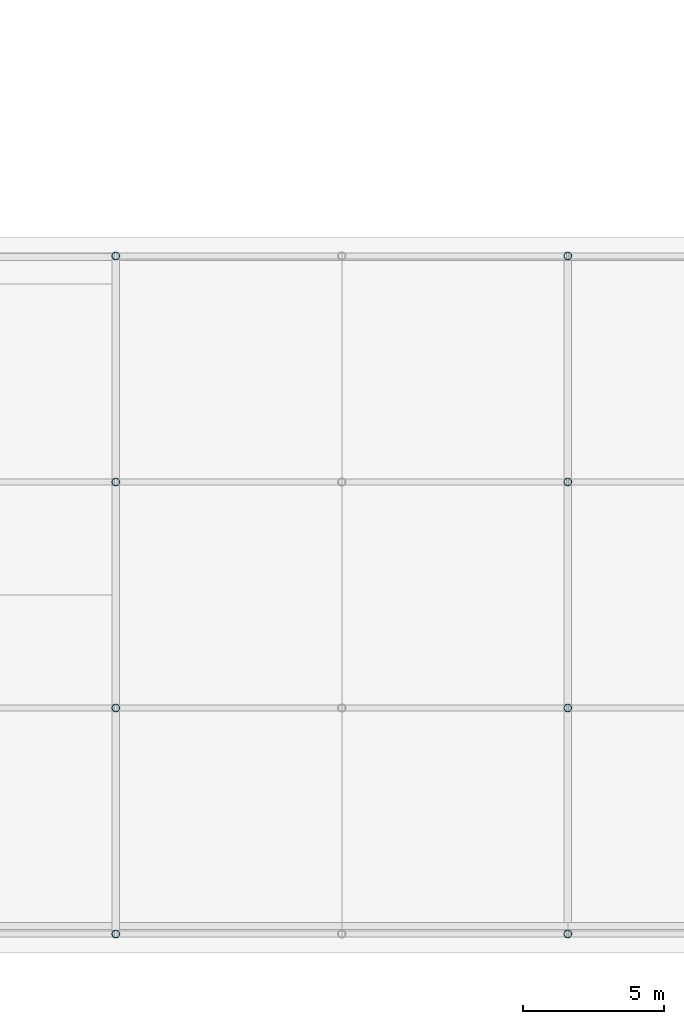
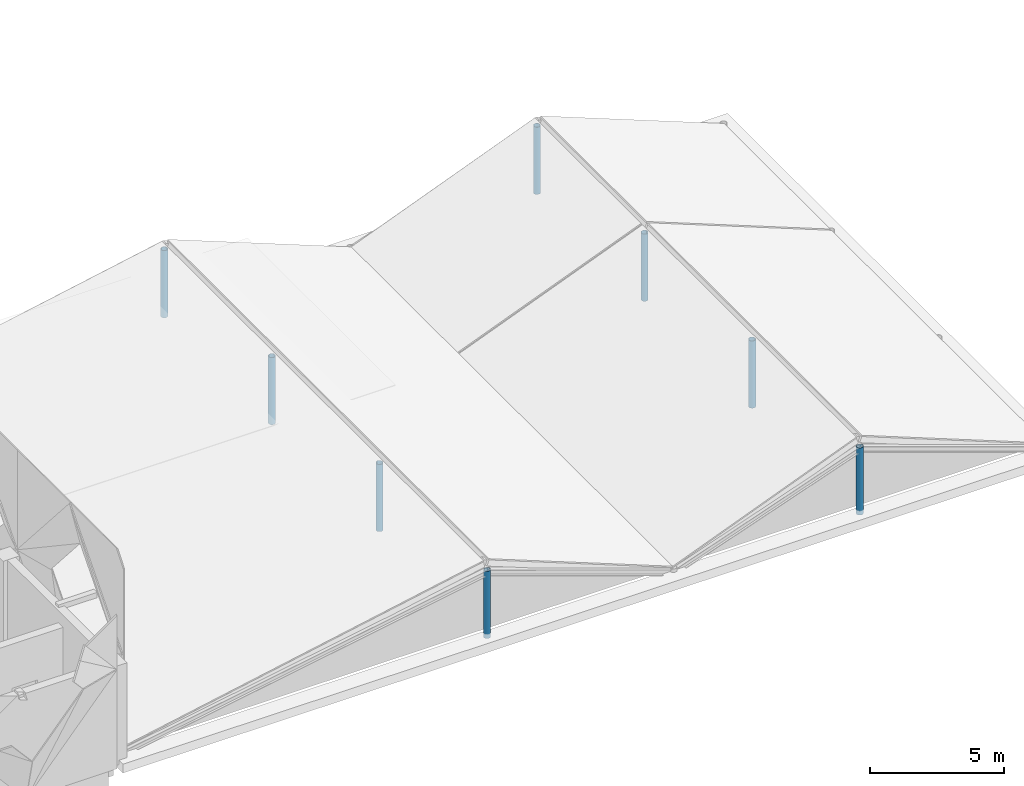
# One storey, part 3 of 37: 8 columns.
"""IFC4 building model written with IfcOpenShell, lengths in metres."""

from ifc_helpers import new_model, si_unit, direction, frame, origin, origin_2d, place, context, subcontext, project, spatial, hollow_circle, extrude, material, material_profile, profile_set, type_object, element, save


model = new_model("IFC4")

# Units and contexts
model_context = context("Model", 3, precision=1e-05, world=origin(), true_north=direction((0.0, 1.0)))
body_context = subcontext(model_context, "Body", "Model", "MODEL_VIEW")
ifc_project = project(units=[si_unit("LENGTHUNIT", "METRE"), si_unit("AREAUNIT", "SQUARE_METRE"), si_unit("VOLUMEUNIT", "CUBIC_METRE"), si_unit("PLANEANGLEUNIT", "RADIAN"), si_unit("MASSUNIT", "GRAM", prefix="KILO")], contexts=[model_context])

# Site, building, storey
site_placement = place(None, origin())
site = spatial("IfcSite", under=ifc_project, at=site_placement, CompositionType="ELEMENT")
building_placement = place(site_placement, origin())
building = spatial("IfcBuilding", under=site, at=building_placement, Name="Qorikala Patio Media Centre", CompositionType="ELEMENT")
storey_placement = place(building_placement, frame((0.0, 0.0, 14.39990234375)))
storey = spatial("IfcBuildingStorey", under=building, at=storey_placement, Name="L03", CompositionType="ELEMENT", Elevation=14.39990234375)

# Columns
ifc_material = material(Name="Steel S355", Category="steel")
ifc_material_profile = material_profile(ifc_material, hollow_circle(Radius=0.136474609375, WallThickness=0.010009765625, at=origin_2d()), Name="CHS273X10")
ifc_profile_set = profile_set([ifc_material_profile], Name="Steel S355")
column_type = type_object("IfcColumnType", Name="SCOL-CHS273X10", PredefinedType="COLUMN", material=ifc_profile_set)
for number, where, z_axis, x_axis, name in (
    (1, (114.0, 3.0, 0.0), (0.0, 0.0, 1.0), (1.0, 0.0, 0.0), "RF-V7A1 Gable Ridge Post Y=3"),
    (2, (114.0, 11.0, 0.0), (0.0, 0.0, 1.0), (1.0, 0.0, 0.0), "RF-V7A1 Gable Ridge Post Y=11"),
    (3, (114.0, 19.0, 0.0), (0.0, 0.0, 1.0), (1.0, 0.0, 0.0), "RF-V7A1 Gable Ridge Post Y=19"),
    (4, (114.0, 27.0, 0.0), (0.0, 0.0, 1.0), (1.0, 0.0, 0.0), "RF-V7A1 Gable Ridge Post Y=27"),
    (5, (130.0, 3.0, 0.0), (0.0, 0.0, 1.0), (1.0, 0.0, 0.0), "RF-V7A2 Gable Ridge Post Y=3"),
    (6, (130.0, 11.0, 0.0), (0.0, 0.0, 1.0), (1.0, 0.0, 0.0), "RF-V7A2 Gable Ridge Post Y=11"),
    (7, (130.0, 19.0, 0.0), (0.0, 0.0, 1.0), (1.0, 0.0, 0.0), "RF-V7A2 Gable Ridge Post Y=19"),
    (8, (130.0, 27.0, 0.0), (0.0, 0.0, 1.0), (1.0, 0.0, 0.0), "RF-V7A3 Gable Ridge Post Y=27"),
):
    element("IfcColumn", number, at=place(storey_placement, frame(where, z_axis=z_axis, x_axis=x_axis)), inside=storey, type_object=column_type, Name=name, PredefinedType="COLUMN", context=body_context, shape_type="SweptSolid", body=[
        extrude(hollow_circle(Radius=0.136474609375, WallThickness=0.010009765625, at=origin_2d()), origin(), (0.0, 0.0, 1.0), 3.050048828125),
    ])

save(model, "model.ifc")
